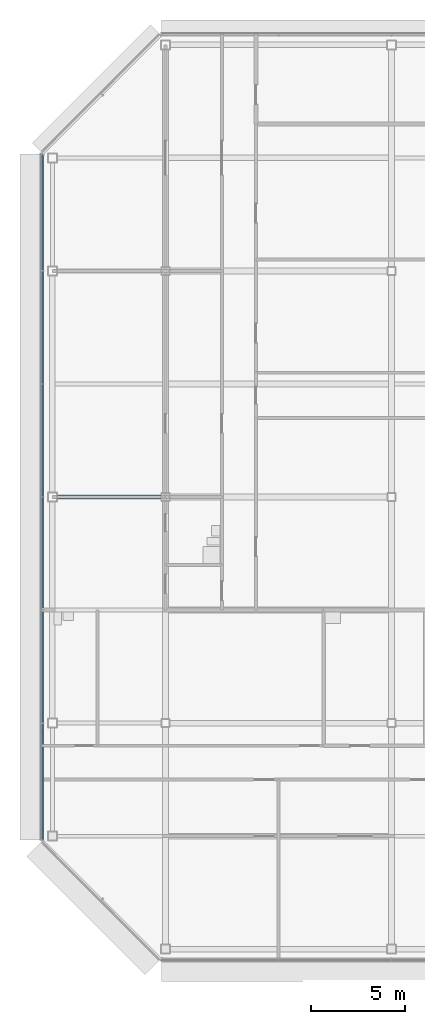
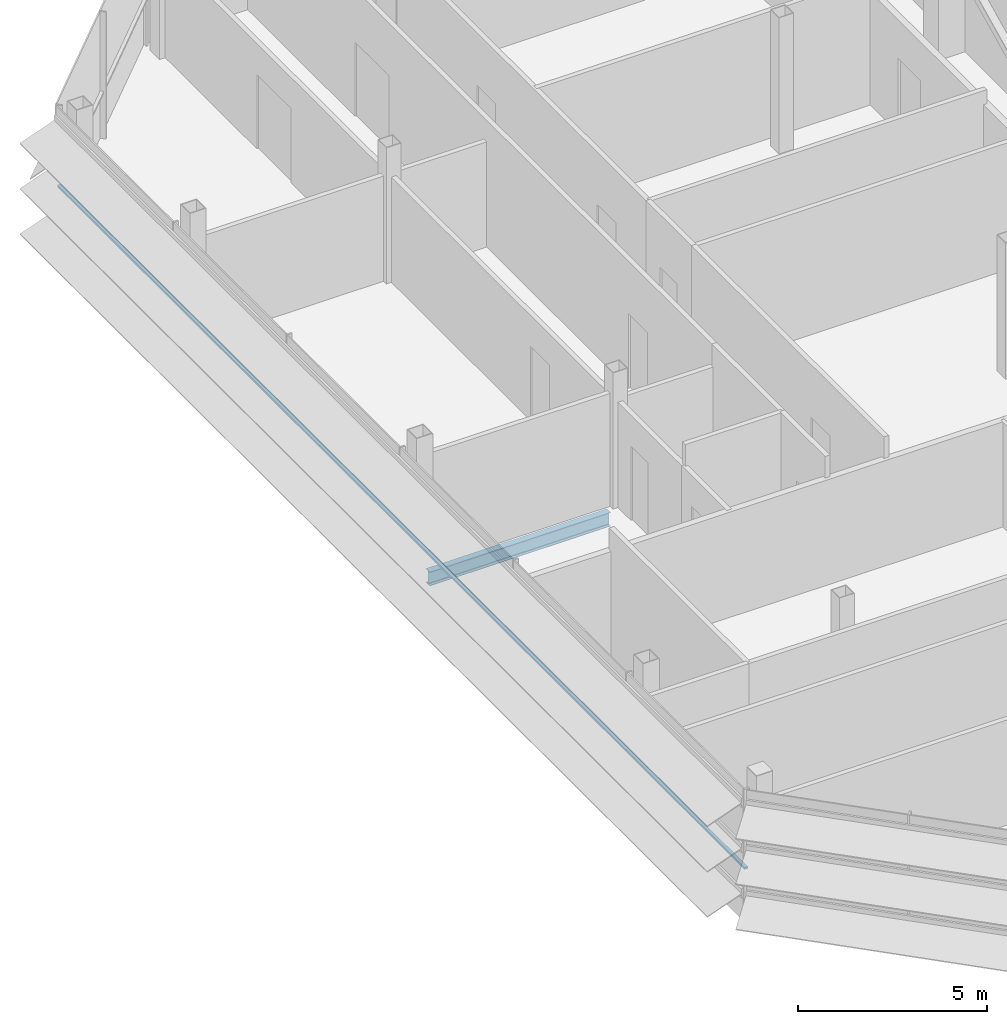
# One storey, part 7 of 29: 1 beam, 1 member, 1 element without a shape of its own.
"""IFC4 building model written with IfcOpenShell, lengths in metres."""

from ifc_helpers import new_model, si_unit, direction, frame, origin, origin_2d, place, context, subcontext, project, spatial, rectangle, i_section, extrude, material, material_profile, profile_set, type_object, element, aggregate, save


model = new_model("IFC4")

# Units and contexts
model_context = context("Model", 3, precision=1e-05, world=origin(), true_north=direction((0.0, 1.0)))
body_context = subcontext(model_context, "Body", "Model", "MODEL_VIEW")
ifc_project = project(units=[si_unit("LENGTHUNIT", "METRE"), si_unit("AREAUNIT", "SQUARE_METRE"), si_unit("VOLUMEUNIT", "CUBIC_METRE"), si_unit("PLANEANGLEUNIT", "RADIAN"), si_unit("MASSUNIT", "GRAM", prefix="KILO")], contexts=[model_context])

# Site, building, storey
site_placement = place(None, origin())
site = spatial("IfcSite", under=ifc_project, at=site_placement, CompositionType="ELEMENT")
building_placement = place(site_placement, origin())
building = spatial("IfcBuilding", under=site, at=building_placement, Name="Sorahane Residences", CompositionType="ELEMENT")
storey_placement = place(building_placement, frame((0.0, 0.0, 326.800048828125)))
storey = spatial("IfcBuildingStorey", under=building, at=storey_placement, Name="L78", CompositionType="ELEMENT", Elevation=326.800048828125)

# Curtain wall, member
ifc_material_1 = material(Name="Dark low-e glass and black anodised aluminium", Category="aluminium")
curtain_wall_type = type_object("IfcCurtainWallType", Name="Curtain wall CW-1 Typical unitised wall", PredefinedType="NOTDEFINED", material=ifc_material_1)
curtain_wall_placement = place(storey_placement, origin())
curtain_wall = element("IfcCurtainWall", 1, at=curtain_wall_placement, inside=storey, type_object=curtain_wall_type, Name="CW-1 curtain wall L78 W1", PredefinedType="NOTDEFINED")
ifc_material_2 = material(Name="Black anodised aluminium", Category="aluminium")
ifc_material_profile_1 = material_profile(ifc_material_2, rectangle(XDim=0.10009765625, YDim=0.06005859375, at=origin_2d()), Name="Curtain wall transom CW-1 black anodised aluminium 60x100")
ifc_profile_set_1 = profile_set([ifc_material_profile_1], Name="Black anodised aluminium")
member_type = type_object("IfcMemberType", Name="Curtain wall transom CW-1 black anodised aluminium 60x100", PredefinedType="USERDEFINED", material=ifc_profile_set_1)
member_placement = place(storey_placement, frame((-18.530029296875, 42.198486328125, 1.5), z_axis=(0.0, -1.0, 0.0), x_axis=(1.0, 0.0, 0.0)))
member = element("IfcMember", 2, at=member_placement, type_object=member_type, Name="CW-1 transom L78 W1", ObjectType="TRANSOM", PredefinedType="USERDEFINED", context=body_context, shape_type="SweptSolid", body=[
    extrude(rectangle(XDim=0.10009765625, YDim=0.06005859375, at=origin_2d()), origin(), (0.0, 0.0, 1.0), 36.39697265625),
])
aggregate(curtain_wall, [member])

# Beam
ifc_material_3 = material(Name="Steel Q355B", Category="steel")
ifc_material_profile_2 = material_profile(ifc_material_3, i_section(OverallWidth=0.199951171875, OverallDepth=0.449951171875, WebThickness=0.009033203125, FlangeThickness=0.013916015625, FilletRadius=0.02001953125, at=origin_2d()), Name="HN 450x200x9x14")
ifc_profile_set_2 = profile_set([ifc_material_profile_2], Name="Steel Q355B")
beam_type = type_object("IfcBeamType", Name="Steel floor beam HN 450x200x9x14 Q355B", PredefinedType="BEAM", material=ifc_profile_set_2)
beam_placement = place(storey_placement, frame((-17.75, 24.0, -0.405029296875), z_axis=(1.0, 0.0, 0.0), x_axis=(0.0, 1.0, 0.0)))
element("IfcBeam", 3, at=beam_placement, inside=storey, type_object=beam_type, Name="Beam L78 011", PredefinedType="BEAM", context=body_context, shape_type="SweptSolid", body=[
    extrude(i_section(OverallWidth=0.199951171875, OverallDepth=0.449951171875, WebThickness=0.009033203125, FlangeThickness=0.013916015625, FilletRadius=0.02001953125, at=origin_2d()), origin(), (0.0, 0.0, 1.0), 5.52490234375),
])

save(model, "model.ifc")
